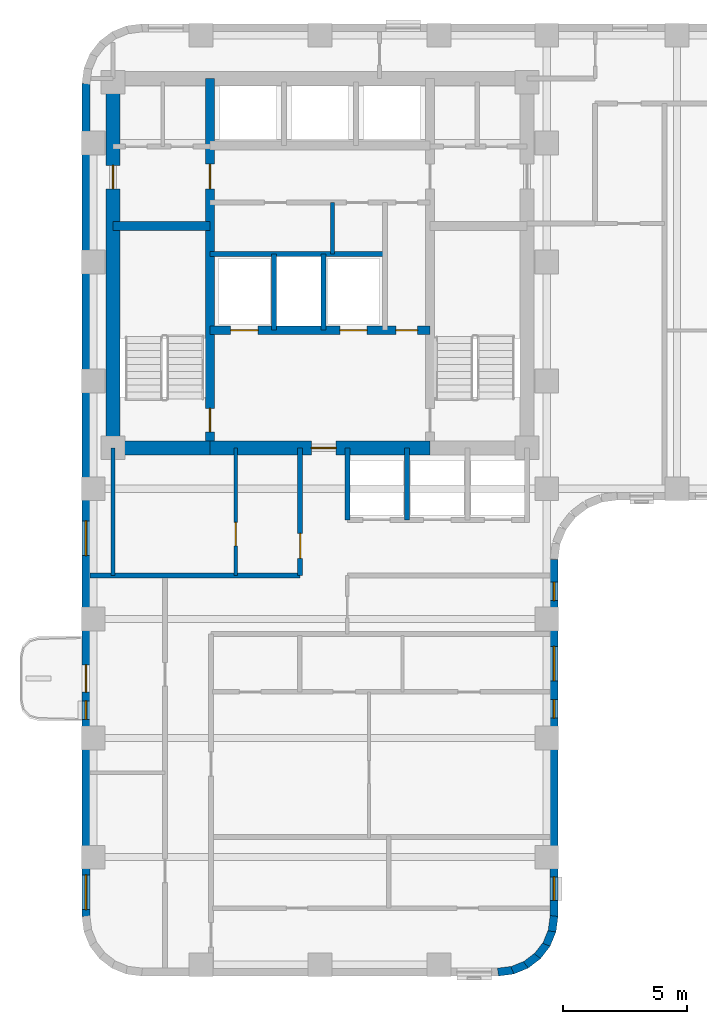
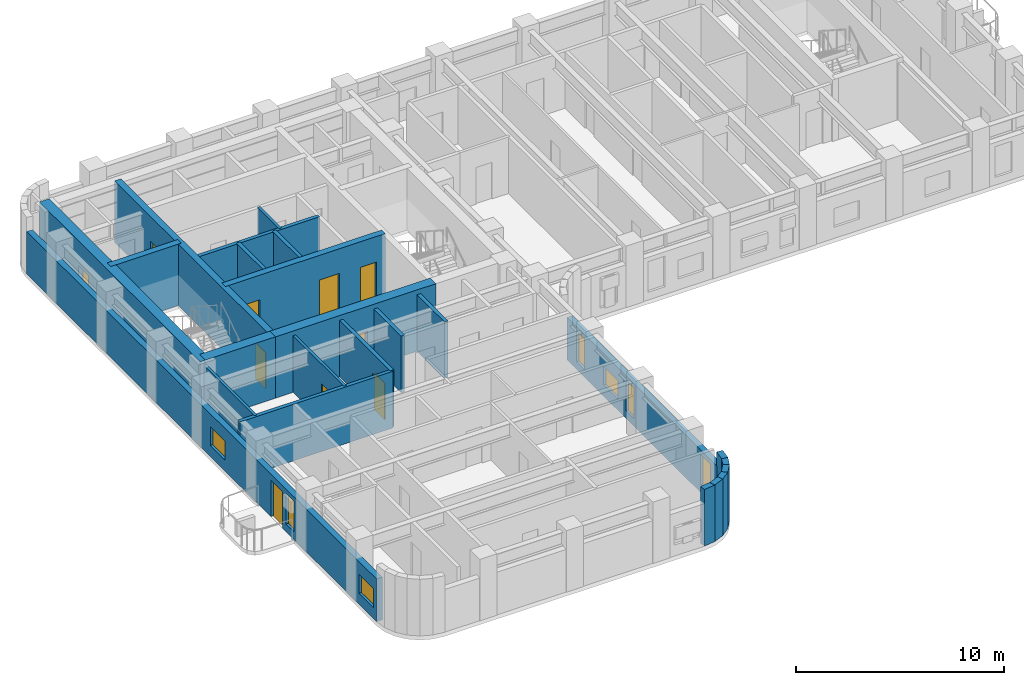
# One storey, part 3 of 10: 24 walls, 10 doors, 7 windows, 17 openings.
"""IFC4 building model written with IfcOpenShell, lengths in metres."""

from ifc_helpers import new_model, si_unit, direction, frame, frame_2d, origin, place, context, subcontext, project, spatial, rectangle, extrude, material, layer, layer_set, type_object, element, fill, save


model = new_model("IFC4")

# Units and contexts
model_context = context("Model", 3, precision=1e-05, world=origin(), true_north=direction((0.0, 1.0)))
body_context = subcontext(model_context, "Body", "Model", "MODEL_VIEW")
ifc_project = project(units=[si_unit("LENGTHUNIT", "METRE"), si_unit("AREAUNIT", "SQUARE_METRE"), si_unit("VOLUMEUNIT", "CUBIC_METRE"), si_unit("PLANEANGLEUNIT", "RADIAN"), si_unit("MASSUNIT", "GRAM", prefix="KILO")], contexts=[model_context])

# Site, building, storey
site_placement = place(None, origin())
site = spatial("IfcSite", under=ifc_project, at=site_placement, CompositionType="ELEMENT")
building_placement = place(site_placement, origin())
building = spatial("IfcBuilding", under=site, at=building_placement, Name="Orvandelia Arch Residences", CompositionType="ELEMENT")
storey_placement = place(building_placement, frame((0.0, 0.0, 150.39990234375)))
storey = spatial("IfcBuildingStorey", under=building, at=storey_placement, Name="L39", CompositionType="ELEMENT", Elevation=150.39990234375)

# Wall, openings, doors
ifc_material_1 = material(Name="Concrete C50/60", Category="concrete")
ifc_layer_1 = layer(ifc_material_1, 0.35009765625, Name="Concrete C50/60", Category="concrete")
ifc_layer_set_1 = layer_set([ifc_layer_1], Name="Concrete C50/60")
wall_type_1 = type_object("IfcWallType", Name="WL-CORE-350", PredefinedType="SHEAR", material=ifc_layer_set_1)
wall_1_placement = place(storey_placement, frame((9.9599609375, 30.89990234375, 0.0), z_axis=(0.0, 0.0, 1.0), x_axis=(0.0, 1.0, 0.0)))
wall_1 = element("IfcWall", 1, at=wall_1_placement, inside=storey, type_object=wall_type_1, Name="Core Shear Wall L39-WEB1", PredefinedType="SHEAR", context=body_context, shape_type="SweptSolid", body=[
    extrude(rectangle(XDim=14.900146484375, YDim=0.35009765625, at=frame_2d((7.4501953125, 0.0))), origin(), (0.0, 0.0, 1.0), 3.60009765625),
])
opening_1_placement = place(wall_1_placement, frame((0.64990234375, 0.0, 0.0)))
opening_1 = element("IfcOpeningElement", 2, at=opening_1_placement, cuts=wall_1, Name="Opening D7", PredefinedType="OPENING", context=body_context, shape_type="SweptSolid", body=[
    extrude(rectangle(XDim=0.949951171875, YDim=2.10009765625, at=frame_2d((0.47509765625, 1.050048828125))), frame((0.0, 0.18505859375, 0.0), z_axis=(0.0, -1.0, 0.0), x_axis=(1.0, 0.0, 0.0)), (0.0, 0.0, 1.0), 0.3701171875),
])
opening_2_placement = place(wall_1_placement, frame((10.449951171875, 0.0, 0.0)))
opening_2 = element("IfcOpeningElement", 3, at=opening_2_placement, cuts=wall_1, Name="Opening D6", PredefinedType="OPENING", context=body_context, shape_type="SweptSolid", body=[
    extrude(rectangle(XDim=1.0, YDim=2.14990234375, at=frame_2d((0.5, 1.074951171875))), frame((0.0, 0.18505859375, 0.0), z_axis=(0.0, -1.0, 0.0), x_axis=(1.0, 0.0, 0.0)), (0.0, 0.0, 1.0), 0.3701171875),
])
ifc_material_2 = material(Name="Smokeproof Painted Steel Fire Door", Category="steel")
door_type_1 = type_object("IfcDoorType", Name="DR-FD60-1000", OperationType="NOTDEFINED", PredefinedType="DOOR", material=ifc_material_2)
door_1_placement = place(opening_2_placement, origin())
door_1 = element("IfcDoor", 4, at=door_1_placement, inside=storey, type_object=door_type_1, Name="High-Rise Lift Hall West Vestibule Door L39", OperationType="SINGLE_SWING_LEFT", OverallHeight=2.14990234375, OverallWidth=1.0, PredefinedType="DOOR", context=body_context, shape_type="SweptSolid", body=[
    extrude(rectangle(XDim=1.0, YDim=2.14990234375, at=frame_2d((0.5, 1.074951171875))), frame((0.0, 0.02490234375, 0.0), z_axis=(0.0, -1.0, 0.0), x_axis=(1.0, 0.0, 0.0)), (0.0, 0.0, 1.0), 0.050048828125),
])
fill(opening_2, door_1)
ifc_material_3 = material(Name="Pressurised Stairwell Fire Door")
door_type_2 = type_object("IfcDoorType", Name="DR-STAIR-950", OperationType="NOTDEFINED", PredefinedType="DOOR", material=ifc_material_3)
door_2_placement = place(opening_1_placement, origin())
door_2 = element("IfcDoor", 5, at=door_2_placement, inside=storey, type_object=door_type_2, Name="Stairwell ST-1 Fire Door L39", OperationType="SINGLE_SWING_LEFT", OverallHeight=2.10009765625, OverallWidth=0.949951171875, PredefinedType="DOOR", context=body_context, shape_type="SweptSolid", body=[
    extrude(rectangle(XDim=0.949951171875, YDim=2.10009765625, at=frame_2d((0.47509765625, 1.050048828125))), frame((0.0, 0.02490234375, 0.0), z_axis=(0.0, -1.0, 0.0), x_axis=(1.0, 0.0, 0.0)), (0.0, 0.0, 1.0), 0.050048828125),
])
fill(opening_1, door_2)

# Wall
wall_2_placement = place(storey_placement, frame((6.050048828125, 39.85009765625, 0.0), z_axis=(0.0, 0.0, 1.0), x_axis=(1.0, 0.0, 0.0)))
element("IfcWall", 6, at=wall_2_placement, inside=storey, type_object=wall_type_1, Name="Core Shear Wall L39-HZ1", PredefinedType="SHEAR", context=body_context, shape_type="SweptSolid", body=[
    extrude(rectangle(XDim=3.909912109375, YDim=0.35009765625, at=frame_2d((1.955078125, 0.0))), origin(), (0.0, 0.0, 1.0), 3.60009765625),
])

# Wall, openings, doors
wall_3_placement = place(storey_placement, frame((9.9599609375, 35.64990234375, 0.0), z_axis=(0.0, 0.0, 1.0), x_axis=(1.0, 0.0, 0.0)))
wall_3 = element("IfcWall", 7, at=wall_3_placement, inside=storey, type_object=wall_type_1, Name="Core Shear Wall L39-HZ3", PredefinedType="SHEAR", context=body_context, shape_type="SweptSolid", body=[
    extrude(rectangle(XDim=8.880126953125, YDim=0.35009765625, at=frame_2d((4.43994140625, 0.0))), origin(), (0.0, 0.0, 1.0), 3.60009765625),
])
opening_3_placement = place(wall_3_placement, frame((0.840087890625, 0.0, 0.0)))
opening_3 = element("IfcOpeningElement", 8, at=opening_3_placement, cuts=wall_3, Name="Opening FLD", PredefinedType="OPENING", context=body_context, shape_type="SweptSolid", body=[
    extrude(rectangle(XDim=1.10009765625, YDim=2.14990234375, at=frame_2d((0.550048828125, 1.074951171875))), frame((0.0, 0.18505859375, 0.0), z_axis=(0.0, -1.0, 0.0), x_axis=(1.0, 0.0, 0.0)), (0.0, 0.0, 1.0), 0.3701171875),
])
opening_4_placement = place(wall_3_placement, frame((5.239990234375, 0.0, 0.0)))
opening_4 = element("IfcOpeningElement", 9, at=opening_4_placement, cuts=wall_3, Name="Opening FLD", PredefinedType="OPENING", context=body_context, shape_type="SweptSolid", body=[
    extrude(rectangle(XDim=1.10009765625, YDim=2.14990234375, at=frame_2d((0.550048828125, 1.074951171875))), frame((0.0, 0.18505859375, 0.0), z_axis=(0.0, -1.0, 0.0), x_axis=(1.0, 0.0, 0.0)), (0.0, 0.0, 1.0), 0.3701171875),
])
opening_5_placement = place(wall_3_placement, frame((7.5, 0.0, 0.0)))
opening_5 = element("IfcOpeningElement", 10, at=opening_5_placement, cuts=wall_3, Name="Opening D5", PredefinedType="OPENING", context=body_context, shape_type="SweptSolid", body=[
    extrude(rectangle(XDim=0.8798828125, YDim=2.10009765625, at=frame_2d((0.43994140625, 1.050048828125))), frame((0.0, 0.18505859375, 0.0), z_axis=(0.0, -1.0, 0.0), x_axis=(1.0, 0.0, 0.0)), (0.0, 0.0, 1.0), 0.3701171875),
])
ifc_material_4 = material(Name="Firefighting Lift Stainless Sliding Door")
door_type_3 = type_object("IfcDoorType", Name="DR-FLFT-1100", OperationType="NOTDEFINED", PredefinedType="DOOR", material=ifc_material_4)
door_3_placement = place(opening_3_placement, origin())
door_3 = element("IfcDoor", 11, at=door_3_placement, inside=storey, type_object=door_type_3, Name="Firefighting Lift Landing Door FLD-FL1-L39", OperationType="SLIDING_TO_LEFT", OverallHeight=2.14990234375, OverallWidth=1.10009765625, PredefinedType="DOOR", context=body_context, shape_type="SweptSolid", body=[
    extrude(rectangle(XDim=1.10009765625, YDim=2.14990234375, at=frame_2d((0.550048828125, 1.074951171875))), frame((0.0, 0.02490234375, 0.0), z_axis=(0.0, -1.0, 0.0), x_axis=(1.0, 0.0, 0.0)), (0.0, 0.0, 1.0), 0.050048828125),
])
fill(opening_3, door_3)
door_4_placement = place(opening_4_placement, origin())
door_4 = element("IfcDoor", 12, at=door_4_placement, inside=storey, type_object=door_type_3, Name="Firefighting Lift Landing Door FLD-FL2-L39", OperationType="SLIDING_TO_RIGHT", OverallHeight=2.14990234375, OverallWidth=1.10009765625, PredefinedType="DOOR", context=body_context, shape_type="SweptSolid", body=[
    extrude(rectangle(XDim=1.10009765625, YDim=2.14990234375, at=frame_2d((0.550048828125, 1.074951171875))), frame((0.0, 0.02490234375, 0.0), z_axis=(0.0, -1.0, 0.0), x_axis=(1.0, 0.0, 0.0)), (0.0, 0.0, 1.0), 0.050048828125),
])
fill(opening_4, door_4)
ifc_material_5 = material(Name="Painted Galvanised Steel Service Door", Category="steel")
door_type_4 = type_object("IfcDoorType", Name="DR-SRV-880", OperationType="NOTDEFINED", PredefinedType="DOOR", material=ifc_material_5)
door_5_placement = place(opening_5_placement, origin())
door_5 = element("IfcDoor", 13, at=door_5_placement, inside=storey, type_object=door_type_4, Name="Core Stairway Passage South Fire Door L39", OperationType="SINGLE_SWING_LEFT", OverallHeight=2.10009765625, OverallWidth=0.8798828125, PredefinedType="DOOR", context=body_context, shape_type="SweptSolid", body=[
    extrude(rectangle(XDim=0.8798828125, YDim=2.10009765625, at=frame_2d((0.43994140625, 1.050048828125))), frame((0.0, 0.02490234375, 0.0), z_axis=(0.0, -1.0, 0.0), x_axis=(1.0, 0.0, 0.0)), (0.0, 0.0, 1.0), 0.050048828125),
])
fill(opening_5, door_5)

# Wall, opening, door
ifc_material_6 = material(Name="Concrete C60/75", Category="concrete")
ifc_layer_2 = layer(ifc_material_6, 0.550048828125, Name="Concrete C60/75", Category="concrete")
ifc_layer_set_2 = layer_set([ifc_layer_2], Name="Concrete C60/75")
wall_type_2 = type_object("IfcWallType", Name="WL-CORE-550", PredefinedType="SHEAR", material=ifc_layer_set_2)
wall_4_placement = place(storey_placement, frame((6.050048828125, 30.625, 0.0), z_axis=(0.0, 0.0, 1.0), x_axis=(0.0, 1.0, 0.0)))
wall_4 = element("IfcWall", 14, at=wall_4_placement, inside=storey, type_object=wall_type_2, Name="Core Shear Wall L39-W", PredefinedType="SHEAR", context=body_context, shape_type="SweptSolid", body=[
    extrude(rectangle(XDim=15.449951171875, YDim=0.550048828125, at=frame_2d((7.72509765625, 0.0))), origin(), (0.0, 0.0, 1.0), 3.60009765625),
])
opening_6_placement = place(wall_4_placement, frame((10.72509765625, 0.0, 0.0)))
opening_6 = element("IfcOpeningElement", 15, at=opening_6_placement, cuts=wall_4, Name="Opening D2", PredefinedType="OPENING", context=body_context, shape_type="SweptSolid", body=[
    extrude(rectangle(XDim=0.949951171875, YDim=2.14990234375, at=frame_2d((0.47509765625, 1.074951171875))), frame((0.0, 0.28515625, 0.0), z_axis=(0.0, -1.0, 0.0), x_axis=(1.0, 0.0, 0.0)), (0.0, 0.0, 1.0), 0.570068359375),
])
ifc_material_7 = material(Name="Solid-Core Timber Interior Fire Door", Category="wood")
door_type_5 = type_object("IfcDoorType", Name="DR-APT-950", OperationType="NOTDEFINED", PredefinedType="DOOR", material=ifc_material_7)
door_6_placement = place(opening_6_placement, origin())
door_6 = element("IfcDoor", 16, at=door_6_placement, inside=storey, type_object=door_type_5, Name="West Viewing Study Door L39", OperationType="SINGLE_SWING_RIGHT", OverallHeight=2.14990234375, OverallWidth=0.949951171875, PredefinedType="DOOR", context=body_context, shape_type="SweptSolid", body=[
    extrude(rectangle(XDim=0.949951171875, YDim=2.14990234375, at=frame_2d((0.47509765625, 1.074951171875))), frame((0.0, 0.02490234375, 0.0), z_axis=(0.0, -1.0, 0.0), x_axis=(1.0, 0.0, 0.0)), (0.0, 0.0, 1.0), 0.050048828125),
])
fill(opening_6, door_6)

# Wall
wall_5_placement = place(storey_placement, frame((6.050048828125, 30.89990234375, 0.0), z_axis=(0.0, 0.0, 1.0), x_axis=(1.0, 0.0, 0.0)))
element("IfcWall", 17, at=wall_5_placement, inside=storey, type_object=wall_type_2, Name="Core Shear Wall L39-SW", PredefinedType="SHEAR", context=body_context, shape_type="SweptSolid", body=[
    extrude(rectangle(XDim=3.909912109375, YDim=0.550048828125, at=frame_2d((1.955078125, 0.0))), origin(), (0.0, 0.0, 1.0), 3.60009765625),
])

# Wall, opening, door
wall_6_placement = place(storey_placement, frame((9.9599609375, 30.89990234375, 0.0), z_axis=(0.0, 0.0, 1.0), x_axis=(1.0, 0.0, 0.0)))
wall_6 = element("IfcWall", 18, at=wall_6_placement, inside=storey, type_object=wall_type_2, Name="Core Shear Wall L39-SM", PredefinedType="SHEAR", context=body_context, shape_type="SweptSolid", body=[
    extrude(rectangle(XDim=8.880126953125, YDim=0.550048828125, at=frame_2d((4.43994140625, 0.0))), origin(), (0.0, 0.0, 1.0), 3.60009765625),
])
opening_7_placement = place(wall_6_placement, frame((4.090087890625, 0.0, 0.0)))
opening_7 = element("IfcOpeningElement", 19, at=opening_7_placement, cuts=wall_6, Name="Opening D6", PredefinedType="OPENING", context=body_context, shape_type="SweptSolid", body=[
    extrude(rectangle(XDim=1.0, YDim=2.14990234375, at=frame_2d((0.5, 1.074951171875))), frame((0.0, 0.28515625, 0.0), z_axis=(0.0, -1.0, 0.0), x_axis=(1.0, 0.0, 0.0)), (0.0, 0.0, 1.0), 0.570068359375),
])
door_7_placement = place(opening_7_placement, origin())
door_7 = element("IfcDoor", 20, at=door_7_placement, inside=storey, type_object=door_type_1, Name="Firefighting Lobby Smokeproof Door L39", OperationType="SINGLE_SWING_LEFT", OverallHeight=2.14990234375, OverallWidth=1.0, PredefinedType="DOOR", context=body_context, shape_type="SweptSolid", body=[
    extrude(rectangle(XDim=1.0, YDim=2.14990234375, at=frame_2d((0.5, 1.074951171875))), frame((0.0, 0.02490234375, 0.0), z_axis=(0.0, -1.0, 0.0), x_axis=(1.0, 0.0, 0.0)), (0.0, 0.0, 1.0), 0.050048828125),
])
fill(opening_7, door_7)

# Wall
ifc_material_8 = material(Name="Fire-Rated Corridor Partition")
ifc_layer_3 = layer(ifc_material_8, 0.199951171875, Name="Fire-Rated Corridor Partition")
ifc_layer_set_3 = layer_set([ifc_layer_3], Name="Fire-Rated Corridor Partition")
wall_type_3 = type_object("IfcWallType", Name="WL-CORR-200", PredefinedType="PARTITIONING", material=ifc_layer_set_3)
wall_7_placement = place(storey_placement, frame((5.1201171875, 25.75, 0.0), z_axis=(0.0, 0.0, 1.0), x_axis=(1.0, 0.0, 0.0)))
element("IfcWall", 21, at=wall_7_placement, inside=storey, type_object=wall_type_3, Name="Interior Partition Wall WL-L39-WLNK-N", PredefinedType="PARTITIONING", context=body_context, shape_type="SweptSolid", body=[
    extrude(rectangle(XDim=8.47998046875, YDim=0.199951171875, at=frame_2d((4.239990234375, 0.0))), origin(), (0.0, 0.0, 1.0), 3.320068359375),
])

# Wall, openings, windows
ifc_material_9 = material(Name="Precast concrete C40/50", Category="concrete")
ifc_layer_4 = layer(ifc_material_9, 0.320068359375, Name="Precast concrete C40/50", Category="concrete")
ifc_layer_set_4 = layer_set([ifc_layer_4], Name="Precast concrete C40/50")
wall_type_4 = type_object("IfcWallType", Name="WL-EXT-STONE-320", PredefinedType="STANDARD", material=ifc_layer_set_4)
wall_8_placement = place(storey_placement, frame((23.840087890625, 26.39990234375, 0.0), z_axis=(0.0, 0.0, 1.0), x_axis=(0.0, -1.0, 0.0)))
wall_8 = element("IfcWall", 22, at=wall_8_placement, inside=storey, type_object=wall_type_4, Name="Coral-Limestone Precast Facade Wall L39-028", PredefinedType="STANDARD", context=body_context, shape_type="SweptSolid", body=[
    extrude(rectangle(XDim=14.39990234375, YDim=0.320068359375, at=frame_2d((7.199951171875, 0.0))), origin(), (0.0, 0.0, 1.0), 2.5),
])
opening_8_placement = place(wall_8_placement, frame((3.5, 0.0, 0.64990234375)))
opening_8 = element("IfcOpeningElement", 23, at=opening_8_placement, cuts=wall_8, Name="Opening W10", PredefinedType="OPENING", context=body_context, shape_type="SweptSolid", body=[
    extrude(rectangle(XDim=1.39990234375, YDim=1.10009765625, at=frame_2d((0.699951171875, 0.550048828125))), frame((0.0, 0.169921875, 0.0), z_axis=(0.0, -1.0, 0.0), x_axis=(1.0, 0.0, 0.0)), (0.0, 0.0, 1.0), 0.340087890625),
])
opening_9_placement = place(wall_8_placement, frame((12.801513671875, 0.0, 0.449951171875)))
opening_9 = element("IfcOpeningElement", 24, at=opening_9_placement, cuts=wall_8, Name="Opening W4", PredefinedType="OPENING", context=body_context, shape_type="SweptSolid", body=[
    extrude(rectangle(XDim=0.949951171875, YDim=1.800048828125, at=frame_2d((0.47509765625, 0.89990234375))), frame((0.0, 0.169921875, 0.0), z_axis=(0.0, -1.0, 0.0), x_axis=(1.0, 0.0, 0.0)), (0.0, 0.0, 1.0), 0.340087890625),
])
opening_10_placement = place(wall_8_placement, frame((5.6474609375, 0.0, 0.449951171875)))
opening_10 = element("IfcOpeningElement", 25, at=opening_10_placement, cuts=wall_8, Name="Opening W11", PredefinedType="OPENING", context=body_context, shape_type="SweptSolid", body=[
    extrude(rectangle(XDim=0.75, YDim=1.800048828125, at=frame_2d((0.375, 0.89990234375))), frame((0.0, 0.169921875, 0.0), z_axis=(0.0, -1.0, 0.0), x_axis=(1.0, 0.0, 0.0)), (0.0, 0.0, 1.0), 0.340087890625),
])
opening_11_placement = place(wall_8_placement, frame((0.907470703125, 0.0, 0.449951171875)))
opening_11 = element("IfcOpeningElement", 26, at=opening_11_placement, cuts=wall_8, Name="Opening W11", PredefinedType="OPENING", context=body_context, shape_type="SweptSolid", body=[
    extrude(rectangle(XDim=0.75, YDim=1.800048828125, at=frame_2d((0.375, 0.89990234375))), frame((0.0, 0.169921875, 0.0), z_axis=(0.0, -1.0, 0.0), x_axis=(1.0, 0.0, 0.0)), (0.0, 0.0, 1.0), 0.340087890625),
])
ifc_material_10 = material(Name="Tempered Low-E Insulated Glazing", Category="glass")
window_type_1 = type_object("IfcWindowType", Name="WIN-BED-0750x1800", PartitioningType="SINGLE_PANEL", PredefinedType="WINDOW", material=ifc_material_10)
window_1_placement = place(opening_10_placement, origin())
window_1 = element("IfcWindow", 27, at=window_1_placement, inside=storey, type_object=window_type_1, Name="Recessed Punched Window L39-016", OverallHeight=1.800048828125, OverallWidth=0.75, PartitioningType="SINGLE_PANEL", PredefinedType="WINDOW", context=body_context, shape_type="SweptSolid", body=[
    extrude(rectangle(XDim=0.75, YDim=1.800048828125, at=frame_2d((0.375, 0.89990234375))), frame((0.0, 0.030029296875, 0.0), z_axis=(0.0, -1.0, 0.0), x_axis=(1.0, 0.0, 0.0)), (0.0, 0.0, 1.0), 0.06005859375),
])
fill(opening_10, window_1)
window_2_placement = place(opening_11_placement, origin())
window_2 = element("IfcWindow", 28, at=window_2_placement, inside=storey, type_object=window_type_1, Name="Recessed Punched Window L39-017", OverallHeight=1.800048828125, OverallWidth=0.75, PartitioningType="SINGLE_PANEL", PredefinedType="WINDOW", context=body_context, shape_type="SweptSolid", body=[
    extrude(rectangle(XDim=0.75, YDim=1.800048828125, at=frame_2d((0.375, 0.89990234375))), frame((0.0, 0.030029296875, 0.0), z_axis=(0.0, -1.0, 0.0), x_axis=(1.0, 0.0, 0.0)), (0.0, 0.0, 1.0), 0.06005859375),
])
fill(opening_11, window_2)
window_type_2 = type_object("IfcWindowType", Name="WIN-CLR-1400x1100", PartitioningType="SINGLE_PANEL", PredefinedType="WINDOW", material=ifc_material_10)
window_3_placement = place(opening_8_placement, origin())
window_3 = element("IfcWindow", 29, at=window_3_placement, inside=storey, type_object=window_type_2, Name="Recessed Punched Window L39-014", OverallHeight=1.10009765625, OverallWidth=1.39990234375, PartitioningType="SINGLE_PANEL", PredefinedType="WINDOW", context=body_context, shape_type="SweptSolid", body=[
    extrude(rectangle(XDim=1.39990234375, YDim=1.10009765625, at=frame_2d((0.699951171875, 0.550048828125))), frame((0.0, 0.030029296875, 0.0), z_axis=(0.0, -1.0, 0.0), x_axis=(1.0, 0.0, 0.0)), (0.0, 0.0, 1.0), 0.06005859375),
])
fill(opening_8, window_3)
window_type_3 = type_object("IfcWindowType", Name="WIN-RES-0950x1800", PartitioningType="SINGLE_PANEL", PredefinedType="WINDOW", material=ifc_material_10)
window_4_placement = place(opening_9_placement, origin())
window_4 = element("IfcWindow", 30, at=window_4_placement, inside=storey, type_object=window_type_3, Name="Recessed Punched Window L39-015", OverallHeight=1.800048828125, OverallWidth=0.949951171875, PartitioningType="SINGLE_PANEL", PredefinedType="WINDOW", context=body_context, shape_type="SweptSolid", body=[
    extrude(rectangle(XDim=0.949951171875, YDim=1.800048828125, at=frame_2d((0.47509765625, 0.89990234375))), frame((0.0, 0.030029296875, 0.0), z_axis=(0.0, -1.0, 0.0), x_axis=(1.0, 0.0, 0.0)), (0.0, 0.0, 1.0), 0.06005859375),
])
fill(opening_9, window_4)

# Walls
wall_9_placement = place(storey_placement, frame((23.84130859375, 12.02099609375, 0.0), z_axis=(0.0, 0.0, 1.0), x_axis=(-0.130504898859, -0.991447664465, 0.0)))
element("IfcWall", 31, at=wall_9_placement, inside=storey, type_object=wall_type_4, Name="Coral-Limestone Precast Facade Wall L39-029", PredefinedType="STANDARD", context=body_context, shape_type="SweptSolid", body=[
    extrude(rectangle(XDim=0.626708984375, YDim=0.320068359375, at=frame_2d((0.3134765625, 0.0))), origin(), (0.0, 0.0, 1.0), 3.320068359375),
])
for number, where, z_axis, x_axis, name in (
    (32, (23.7705078125, 11.43994140625, 0.0), (0.0, 0.0, 1.0), (-0.382650053678, -0.92389335771, 0.0), "Coral-Limestone Precast Facade Wall L39-030"),
    (33, (23.551513671875, 10.8974609375, 0.0), (0.0, 0.0, 1.0), (-0.608693302629, -0.793405610854, 0.0), "Coral-Limestone Precast Facade Wall L39-031"),
    (34, (23.19970703125, 10.4296875, 0.0), (0.0, 0.0, 1.0), (-0.793405610854, -0.608693302629, 0.0), "Coral-Limestone Precast Facade Wall L39-032"),
    (35, (22.73876953125, 10.0693359375, 0.0), (0.0, 0.0, 1.0), (-0.92389335771, -0.382650053678, 0.0), "Coral-Limestone Precast Facade Wall L39-033"),
    (36, (22.2001953125, 9.84033203125, 0.0), (0.0, 0.0, 1.0), (-0.9914410257, -0.130555323746, 0.0), "Coral-Limestone Precast Facade Wall L39-034"),
):
    element("IfcWall", number, at=place(storey_placement, frame(where, z_axis=z_axis, x_axis=x_axis)), inside=storey, type_object=wall_type_4, Name=name, PredefinedType="STANDARD", context=body_context, shape_type="SweptSolid", body=[
        extrude(rectangle(XDim=0.62646484375, YDim=0.320068359375, at=frame_2d((0.313232421875, 0.0))), origin(), (0.0, 0.0, 1.0), 3.320068359375),
    ])

# Wall, openings, door, windows
wall_10_placement = place(storey_placement, frame((4.9599609375, 12.0, 0.0), z_axis=(0.0, 0.0, 1.0), x_axis=(0.0, 1.0, 0.0)))
wall_10 = element("IfcWall", 37, at=wall_10_placement, inside=storey, type_object=wall_type_4, Name="Coral-Limestone Precast Facade Wall L39-042", PredefinedType="STANDARD", context=body_context, shape_type="SweptSolid", body=[
    extrude(rectangle(XDim=33.60009765625, YDim=0.320068359375, at=frame_2d((16.800048828125, 0.0))), origin(), (0.0, 0.0, 1.0), 2.5),
])
opening_12_placement = place(wall_10_placement, frame((9.050048828125, 0.0, 0.0)))
opening_12 = element("IfcOpeningElement", 38, at=opening_12_placement, cuts=wall_10, Name="Opening BD1", PredefinedType="OPENING", context=body_context, shape_type="SweptSolid", body=[
    extrude(rectangle(XDim=1.10009765625, YDim=2.14990234375, at=frame_2d((0.550048828125, 1.074951171875))), frame((0.0, 0.169921875, 0.0), z_axis=(0.0, -1.0, 0.0), x_axis=(1.0, 0.0, 0.0)), (0.0, 0.0, 1.0), 0.340087890625),
])
opening_13_placement = place(wall_10_placement, frame((14.5576171875, 0.0, 0.64990234375)))
opening_13 = element("IfcOpeningElement", 39, at=opening_13_placement, cuts=wall_10, Name="Opening W10", PredefinedType="OPENING", context=body_context, shape_type="SweptSolid", body=[
    extrude(rectangle(XDim=1.39990234375, YDim=1.10009765625, at=frame_2d((0.699951171875, 0.550048828125))), frame((0.0, 0.169921875, 0.0), z_axis=(0.0, -1.0, 0.0), x_axis=(1.0, 0.0, 0.0)), (0.0, 0.0, 1.0), 0.340087890625),
])
opening_14_placement = place(wall_10_placement, frame((0.282470703125, 0.0, 0.64990234375)))
opening_14 = element("IfcOpeningElement", 40, at=opening_14_placement, cuts=wall_10, Name="Opening W10", PredefinedType="OPENING", context=body_context, shape_type="SweptSolid", body=[
    extrude(rectangle(XDim=1.39990234375, YDim=1.10009765625, at=frame_2d((0.699951171875, 0.550048828125))), frame((0.0, 0.169921875, 0.0), z_axis=(0.0, -1.0, 0.0), x_axis=(1.0, 0.0, 0.0)), (0.0, 0.0, 1.0), 0.340087890625),
])
opening_15_placement = place(wall_10_placement, frame((7.947509765625, 0.0, 0.449951171875)))
opening_15 = element("IfcOpeningElement", 41, at=opening_15_placement, cuts=wall_10, Name="Opening W11", PredefinedType="OPENING", context=body_context, shape_type="SweptSolid", body=[
    extrude(rectangle(XDim=0.75, YDim=1.800048828125, at=frame_2d((0.375, 0.89990234375))), frame((0.0, 0.169921875, 0.0), z_axis=(0.0, -1.0, 0.0), x_axis=(1.0, 0.0, 0.0)), (0.0, 0.0, 1.0), 0.340087890625),
])
ifc_material_11 = material(Name="Thermally Broken Aluminium Glazed Door", Category="aluminium")
door_type_6 = type_object("IfcDoorType", Name="DR-BAL-GLAZ-1100", OperationType="NOTDEFINED", PredefinedType="DOOR", material=ifc_material_11)
door_8_placement = place(opening_12_placement, origin())
door_8 = element("IfcDoor", 42, at=door_8_placement, inside=storey, type_object=door_type_6, Name="Tree Balcony Glazed Door BAL-L39-W1", OperationType="SINGLE_SWING_RIGHT", OverallHeight=2.14990234375, OverallWidth=1.10009765625, PredefinedType="DOOR", context=body_context, shape_type="SweptSolid", body=[
    extrude(rectangle(XDim=1.10009765625, YDim=2.14990234375, at=frame_2d((0.550048828125, 1.074951171875))), frame((0.0, 0.02490234375, 0.0), z_axis=(0.0, -1.0, 0.0), x_axis=(1.0, 0.0, 0.0)), (0.0, 0.0, 1.0), 0.050048828125),
])
fill(opening_12, door_8)
window_5_placement = place(opening_15_placement, origin())
window_5 = element("IfcWindow", 43, at=window_5_placement, inside=storey, type_object=window_type_1, Name="Recessed Punched Window L39-021", OverallHeight=1.800048828125, OverallWidth=0.75, PartitioningType="SINGLE_PANEL", PredefinedType="WINDOW", context=body_context, shape_type="SweptSolid", body=[
    extrude(rectangle(XDim=0.75, YDim=1.800048828125, at=frame_2d((0.375, 0.89990234375))), frame((0.0, 0.030029296875, 0.0), z_axis=(0.0, -1.0, 0.0), x_axis=(1.0, 0.0, 0.0)), (0.0, 0.0, 1.0), 0.06005859375),
])
fill(opening_15, window_5)
window_6_placement = place(opening_13_placement, origin())
window_6 = element("IfcWindow", 44, at=window_6_placement, inside=storey, type_object=window_type_2, Name="Recessed Punched Window L39-019", OverallHeight=1.10009765625, OverallWidth=1.39990234375, PartitioningType="SINGLE_PANEL", PredefinedType="WINDOW", context=body_context, shape_type="SweptSolid", body=[
    extrude(rectangle(XDim=1.39990234375, YDim=1.10009765625, at=frame_2d((0.699951171875, 0.550048828125))), frame((0.0, 0.030029296875, 0.0), z_axis=(0.0, -1.0, 0.0), x_axis=(1.0, 0.0, 0.0)), (0.0, 0.0, 1.0), 0.06005859375),
])
fill(opening_13, window_6)
window_7_placement = place(opening_14_placement, origin())
window_7 = element("IfcWindow", 45, at=window_7_placement, inside=storey, type_object=window_type_2, Name="Recessed Punched Window L39-020", OverallHeight=1.10009765625, OverallWidth=1.39990234375, PartitioningType="SINGLE_PANEL", PredefinedType="WINDOW", context=body_context, shape_type="SweptSolid", body=[
    extrude(rectangle(XDim=1.39990234375, YDim=1.10009765625, at=frame_2d((0.699951171875, 0.550048828125))), frame((0.0, 0.030029296875, 0.0), z_axis=(0.0, -1.0, 0.0), x_axis=(1.0, 0.0, 0.0)), (0.0, 0.0, 1.0), 0.06005859375),
])
fill(opening_14, window_7)

# Walls
ifc_material_12 = material(Name="Acoustic Gypsum Stud Partition")
ifc_layer_5 = layer(ifc_material_12, 0.14990234375, Name="Acoustic Gypsum Stud Partition")
ifc_layer_set_5 = layer_set([ifc_layer_5], Name="Acoustic Gypsum Stud Partition")
wall_type_5 = type_object("IfcWallType", Name="WL-PART-150", PredefinedType="PARTITIONING", material=ifc_layer_set_5)
wall_11_placement = place(storey_placement, frame((14.89990234375, 38.719970703125, 0.0), z_axis=(0.0, 0.0, 1.0), x_axis=(0.0, 1.0, 0.0)))
element("IfcWall", 46, at=wall_11_placement, inside=storey, type_object=wall_type_5, Name="Interior Partition Wall WL-L39-CSA-1", PredefinedType="PARTITIONING", context=body_context, shape_type="SweptSolid", body=[
    extrude(rectangle(XDim=2.080078125, YDim=0.14990234375, at=frame_2d((1.0400390625, 0.0))), origin(), (0.0, 0.0, 1.0), 3.320068359375),
])
wall_12_placement = place(storey_placement, frame((6.050048828125, 25.75, 0.0), z_axis=(0.0, 0.0, 1.0), x_axis=(0.0, 1.0, 0.0)))
element("IfcWall", 47, at=wall_12_placement, inside=storey, type_object=wall_type_5, Name="Interior Partition Wall WL-L39-B1REUSE-W", PredefinedType="PARTITIONING", context=body_context, shape_type="SweptSolid", body=[
    extrude(rectangle(XDim=5.14990234375, YDim=0.14990234375, at=frame_2d((2.574951171875, 0.0))), origin(), (0.0, 0.0, 1.0), 3.320068359375),
])

# Wall, opening, door
wall_13_placement = place(storey_placement, frame((11.0, 25.75, 0.0), z_axis=(0.0, 0.0, 1.0), x_axis=(0.0, 1.0, 0.0)))
wall_13 = element("IfcWall", 48, at=wall_13_placement, inside=storey, type_object=wall_type_5, Name="Interior Partition Wall WL-L39-B1R-M2", PredefinedType="PARTITIONING", context=body_context, shape_type="SweptSolid", body=[
    extrude(rectangle(XDim=5.14990234375, YDim=0.14990234375, at=frame_2d((2.574951171875, 0.0))), origin(), (0.0, 0.0, 1.0), 3.320068359375),
])
opening_16_placement = place(wall_13_placement, frame((1.199951171875, 0.0, 0.0)))
opening_16 = element("IfcOpeningElement", 49, at=opening_16_placement, cuts=wall_13, Name="Opening D2", PredefinedType="OPENING", context=body_context, shape_type="SweptSolid", body=[
    extrude(rectangle(XDim=0.949951171875, YDim=2.14990234375, at=frame_2d((0.47509765625, 1.074951171875))), frame((0.0, 0.0849609375, 0.0), z_axis=(0.0, -1.0, 0.0), x_axis=(1.0, 0.0, 0.0)), (0.0, 0.0, 1.0), 0.169921875),
])
door_9_placement = place(opening_16_placement, origin())
door_9 = element("IfcDoor", 50, at=door_9_placement, inside=storey, type_object=door_type_5, Name="DR-L39-B1RW", OperationType="SINGLE_SWING_LEFT", OverallHeight=2.14990234375, OverallWidth=0.949951171875, PredefinedType="DOOR", context=body_context, shape_type="SweptSolid", body=[
    extrude(rectangle(XDim=0.949951171875, YDim=2.14990234375, at=frame_2d((0.47509765625, 1.074951171875))), frame((0.0, 0.02490234375, 0.0), z_axis=(0.0, -1.0, 0.0), x_axis=(1.0, 0.0, 0.0)), (0.0, 0.0, 1.0), 0.050048828125),
])
fill(opening_16, door_9)

# Walls
ifc_material_13 = material(Name="Fire-Rated Shaft Enclosure Wall")
ifc_layer_6 = layer(ifc_material_13, 0.199951171875, Name="Fire-Rated Shaft Enclosure Wall")
ifc_layer_set_6 = layer_set([ifc_layer_6], Name="Fire-Rated Shaft Enclosure Wall")
wall_type_6 = type_object("IfcWallType", Name="WL-SHAFT-200", PredefinedType="POLYGONAL", material=ifc_layer_set_6)
wall_14_placement = place(storey_placement, frame((9.9599609375, 38.719970703125, 0.0), z_axis=(0.0, 0.0, 1.0), x_axis=(1.0, 0.0, 0.0)))
element("IfcWall", 51, at=wall_14_placement, inside=storey, type_object=wall_type_6, Name="Interior Partition Wall WL-L39-FLN", PredefinedType="POLYGONAL", context=body_context, shape_type="SweptSolid", body=[
    extrude(rectangle(XDim=7.06005859375, YDim=0.199951171875, at=frame_2d((3.530029296875, 0.0))), origin(), (0.0, 0.0, 1.0), 3.320068359375),
])
for number, where, z_axis, x_axis, name in (
    (52, (12.550048828125, 35.64990234375, 0.0), (0.0, 0.0, 1.0), (0.0, 1.0, 0.0), "Interior Partition Wall WL-L39-FLM1"),
    (53, (14.550048828125, 35.64990234375, 0.0), (0.0, 0.0, 1.0), (0.0, 1.0, 0.0), "Interior Partition Wall WL-L39-FLM2"),
):
    element("IfcWall", number, at=place(storey_placement, frame(where, z_axis=z_axis, x_axis=x_axis)), inside=storey, type_object=wall_type_6, Name=name, PredefinedType="POLYGONAL", context=body_context, shape_type="SweptSolid", body=[
        extrude(rectangle(XDim=3.070068359375, YDim=0.199951171875, at=frame_2d((1.53515625, 0.0))), origin(), (0.0, 0.0, 1.0), 3.320068359375),
    ])

# Wall, opening, door
wall_15_placement = place(storey_placement, frame((13.60009765625, 25.75, 0.0), z_axis=(0.0, 0.0, 1.0), x_axis=(0.0, 1.0, 0.0)))
wall_15 = element("IfcWall", 54, at=wall_15_placement, inside=storey, type_object=wall_type_6, Name="Interior Partition Wall WL-L39-B1REUSE-E", PredefinedType="POLYGONAL", context=body_context, shape_type="SweptSolid", body=[
    extrude(rectangle(XDim=5.14990234375, YDim=0.199951171875, at=frame_2d((2.574951171875, 0.0))), origin(), (0.0, 0.0, 1.0), 3.320068359375),
])
opening_17_placement = place(wall_15_placement, frame((0.699951171875, 0.0, 0.0)))
opening_17 = element("IfcOpeningElement", 55, at=opening_17_placement, cuts=wall_15, Name="Opening D6", PredefinedType="OPENING", context=body_context, shape_type="SweptSolid", body=[
    extrude(rectangle(XDim=1.0, YDim=2.14990234375, at=frame_2d((0.5, 1.074951171875))), frame((0.0, 0.10986328125, 0.0), z_axis=(0.0, -1.0, 0.0), x_axis=(1.0, 0.0, 0.0)), (0.0, 0.0, 1.0), 0.219970703125),
])
door_10_placement = place(opening_17_placement, origin())
door_10 = element("IfcDoor", 56, at=door_10_placement, inside=storey, type_object=door_type_1, Name="DR-L39-B1RE", OperationType="SINGLE_SWING_LEFT", OverallHeight=2.14990234375, OverallWidth=1.0, PredefinedType="DOOR", context=body_context, shape_type="SweptSolid", body=[
    extrude(rectangle(XDim=1.0, YDim=2.14990234375, at=frame_2d((0.5, 1.074951171875))), frame((0.0, 0.02490234375, 0.0), z_axis=(0.0, -1.0, 0.0), x_axis=(1.0, 0.0, 0.0)), (0.0, 0.0, 1.0), 0.050048828125),
])
fill(opening_17, door_10)

# Walls
for number, where, z_axis, x_axis, name in (
    (57, (15.5, 28.0, 0.0), (0.0, 0.0, 1.0), (0.0, 1.0, 0.0), "Interior Partition Wall WL-L39-BNKM-W"),
    (58, (17.89990234375, 28.0, 0.0), (0.0, 0.0, 1.0), (0.0, 1.0, 0.0), "Interior Partition Wall WL-L39-BNKMD-1789"),
):
    element("IfcWall", number, at=place(storey_placement, frame(where, z_axis=z_axis, x_axis=x_axis)), inside=storey, type_object=wall_type_6, Name=name, PredefinedType="POLYGONAL", context=body_context, shape_type="SweptSolid", body=[
        extrude(rectangle(XDim=2.89990234375, YDim=0.199951171875, at=frame_2d((1.449951171875, 0.0))), origin(), (0.0, 0.0, 1.0), 3.320068359375),
    ])

save(model, "model.ifc")
